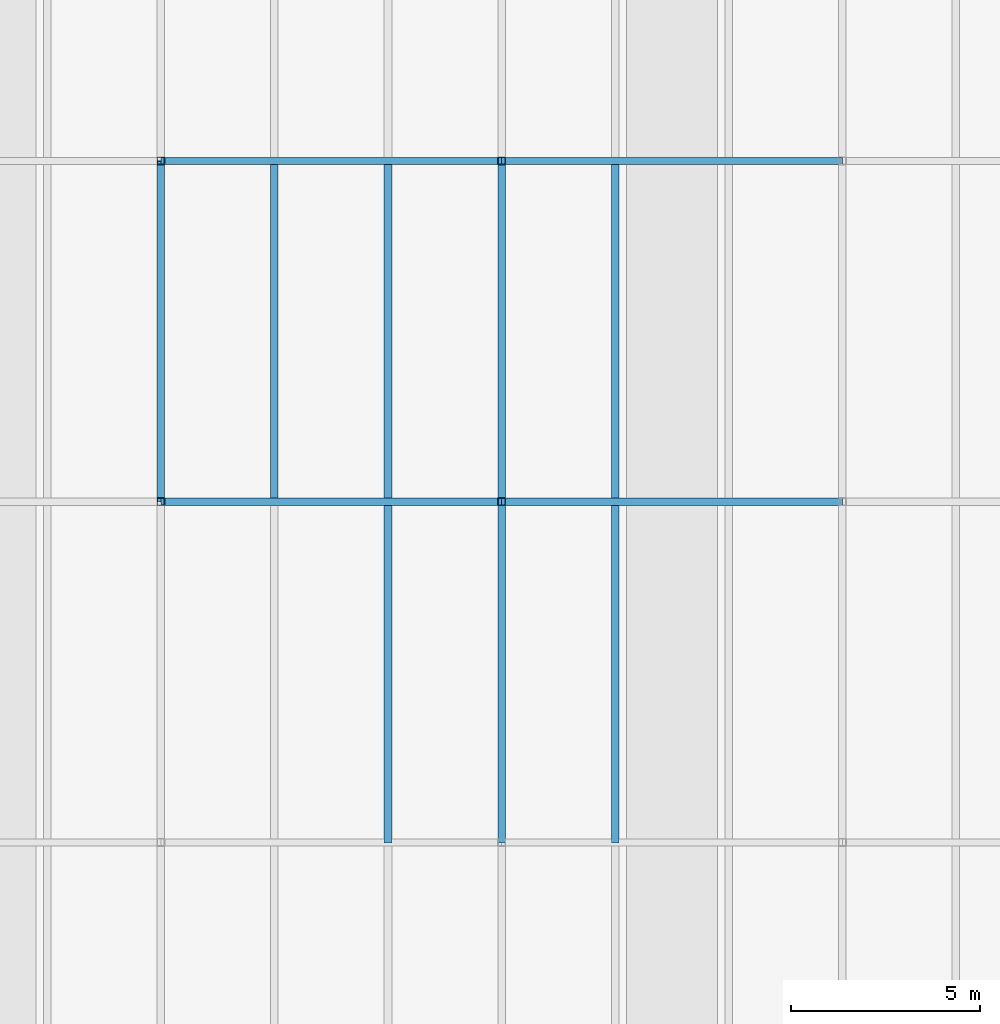
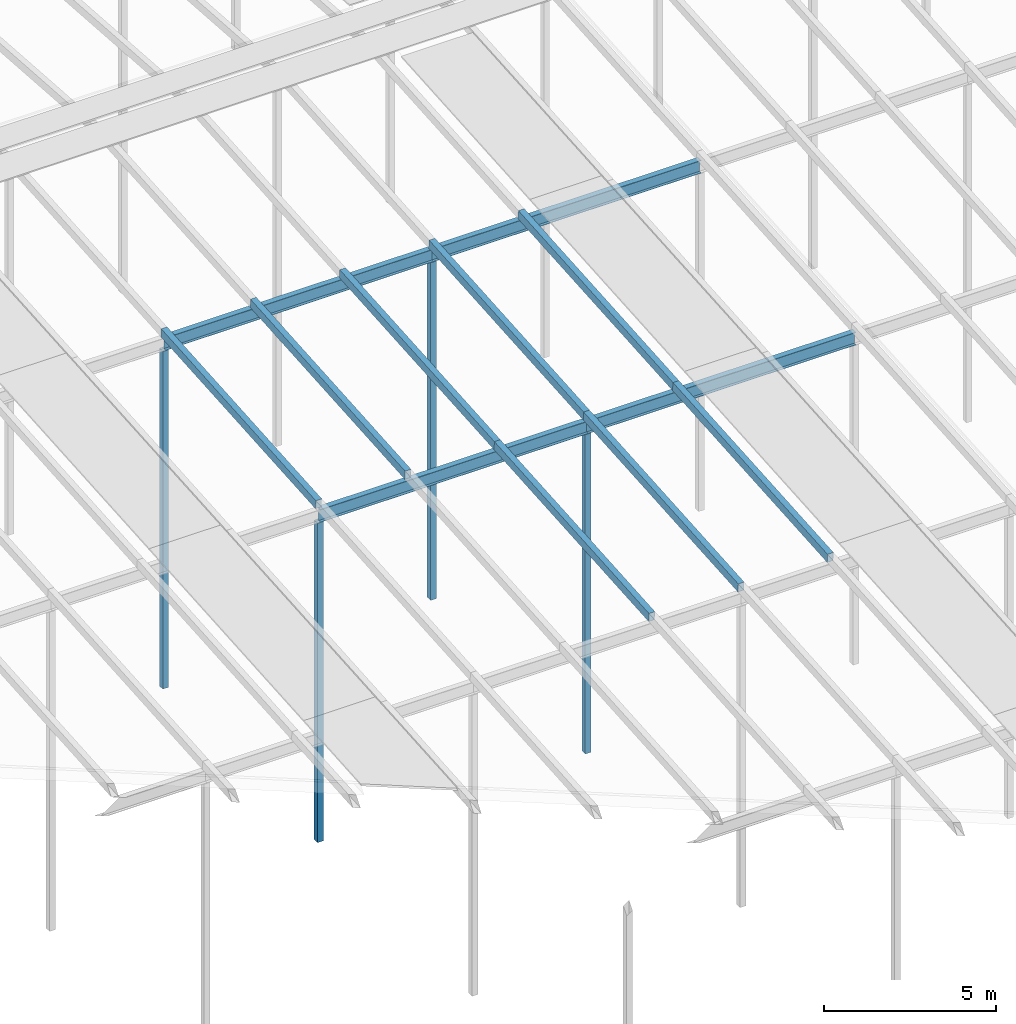
# One storey, part 13 of 84: 12 members, 4 beams.
"""IFC4 building model written with IfcOpenShell, lengths in metres."""

from ifc_helpers import new_model, si_unit, direction, frame, origin, origin_2d, place, context, subcontext, project, spatial, hollow_rectangle, i_section, extrude, material, material_profile, profile_set, type_object, element, save


model = new_model("IFC4")

# Units and contexts
model_context = context("Model", 3, precision=1e-05, world=origin(), true_north=direction((0.0, 1.0)))
body_context = subcontext(model_context, "Body", "Model", "MODEL_VIEW")
ifc_project = project(units=[si_unit("LENGTHUNIT", "METRE"), si_unit("AREAUNIT", "SQUARE_METRE"), si_unit("VOLUMEUNIT", "CUBIC_METRE"), si_unit("PLANEANGLEUNIT", "RADIAN"), si_unit("MASSUNIT", "GRAM", prefix="KILO")], contexts=[model_context])

# Site, building, storey
site_placement = place(None, origin())
site = spatial("IfcSite", under=ifc_project, at=site_placement, CompositionType="ELEMENT")
building_placement = place(site_placement, origin())
building = spatial("IfcBuilding", under=site, at=building_placement, Name="Silverbay Arena", CompositionType="ELEMENT")
storey_placement = place(building_placement, frame((0.0, 0.0, 47.10009765625)))
storey = spatial("IfcBuildingStorey", under=building, at=storey_placement, Name="ROOF", CompositionType="ELEMENT", Elevation=47.10009765625)

# Members
ifc_material_1 = material(Name="Steel S355", Category="steel")
ifc_material_profile_1 = material_profile(ifc_material_1, hollow_rectangle(XDim=0.199951171875, YDim=0.300048828125, WallThickness=0.00634765625, at=origin_2d()), Name="RHS 300x200x6.3")
ifc_profile_set_1 = profile_set([ifc_material_profile_1], Name="Steel S355")
member_type_1 = type_object("IfcMemberType", Name="Purlin RHS 300x200x6.3", PredefinedType="PURLIN", material=ifc_profile_set_1)
for number, where, z_axis, x_axis, name in (
    (1, (117.0, 63.0, 11.349609375), (0.0, 0.997402911363, 0.072023832195), (-1.0, 0.0, 0.0), "ROOF PURLIN crown line 13 bay 05"),
    (2, (120.0, 63.0, 11.349609375), (0.0, 0.997402911363, 0.072023832195), (-1.0, 0.0, 0.0), "ROOF PURLIN crown line 14 bay 05"),
    (3, (123.0, 54.0, 10.699462890625), (0.0, 0.997400967367, 0.07205074805), (-1.0, 0.0, 0.0), "ROOF PURLIN crown line 15 bay 04"),
    (4, (123.0, 63.0, 11.349609375), (0.0, 0.997402911363, 0.072023832195), (-1.0, 0.0, 0.0), "ROOF PURLIN crown line 15 bay 05"),
    (5, (126.0, 54.0, 10.699462890625), (0.0, 0.997400967367, 0.07205074805), (-1.0, 0.0, 0.0), "ROOF PURLIN crown line 16 bay 04"),
    (6, (126.0, 63.0, 11.349609375), (0.0, 0.997402911363, 0.072023832195), (-1.0, 0.0, 0.0), "ROOF PURLIN crown line 16 bay 05"),
    (7, (129.0, 54.0, 10.699462890625), (0.0, 0.997400967367, 0.07205074805), (-1.0, 0.0, 0.0), "ROOF PURLIN crown line 17 bay 04"),
    (8, (129.0, 63.0, 11.349609375), (0.0, 0.997402911363, 0.072023832195), (-1.0, 0.0, 0.0), "ROOF PURLIN crown line 17 bay 05"),
):
    element("IfcMember", number, at=place(storey_placement, frame(where, z_axis=z_axis, x_axis=x_axis)), inside=storey, type_object=member_type_1, Name=name, PredefinedType="PURLIN", context=body_context, shape_type="SweptSolid", body=[
        extrude(hollow_rectangle(XDim=0.199951171875, YDim=0.300048828125, WallThickness=0.00634765625, at=origin_2d()), origin(), (0.0, 0.0, 1.0), 9.0234375),
    ])

# Beams
ifc_material_2 = material(Name="Steel S355", Category="steel")
ifc_material_profile_2 = material_profile(ifc_material_2, i_section(OverallWidth=0.18994140625, OverallDepth=0.453369140625, WebThickness=0.008544921875, FlangeThickness=0.0126953125, at=origin_2d()), Name="UB 457x191x67")
ifc_profile_set_2 = profile_set([ifc_material_profile_2], Name="Steel S355")
beam_type = type_object("IfcBeamType", Name="Ring beam UB 457x191x67", PredefinedType="BEAM", material=ifc_profile_set_2)
for number, where, z_axis, x_axis, name in (
    (9, (117.0, 63.0, 10.972412109375), (1.0, 0.0, 0.0), (0.0, 1.0, 0.0), "RING BEAM crown row 05 14-15"),
    (10, (126.0, 63.0, 10.972412109375), (1.0, 0.0, 0.0), (0.0, 1.0, 0.0), "RING BEAM crown row 05 15-16"),
    (11, (117.0, 72.0, 11.622314453125), (1.0, 0.0, 0.0), (0.0, 1.0, 0.0), "RING BEAM crown row 06 14-15"),
    (12, (126.0, 72.0, 11.622314453125), (1.0, 0.0, 0.0), (0.0, 1.0, 0.0), "RING BEAM crown row 06 15-16"),
):
    element("IfcBeam", number, at=place(storey_placement, frame(where, z_axis=z_axis, x_axis=x_axis)), inside=storey, type_object=beam_type, Name=name, PredefinedType="BEAM", context=body_context, shape_type="SweptSolid", body=[
        extrude(i_section(OverallWidth=0.18994140625, OverallDepth=0.453369140625, WebThickness=0.008544921875, FlangeThickness=0.0126953125, at=origin_2d()), origin(), (0.0, 0.0, 1.0), 9.0),
    ])

# Members
ifc_material_3 = material(Name="Steel S355", Category="steel")
ifc_material_profile_3 = material_profile(ifc_material_3, hollow_rectangle(XDim=0.199951171875, YDim=0.199951171875, WallThickness=0.008056640625, at=origin_2d()), Name="SHS 200x200x8")
ifc_profile_set_3 = profile_set([ifc_material_profile_3], Name="Steel S355")
member_type_2 = type_object("IfcMemberType", Name="Roof post SHS 200x200x8", PredefinedType="POST", material=ifc_profile_set_3)
member_1_placement = place(storey_placement, frame((117.0, 63.0, -0.60009765625), z_axis=(0.0, 0.0, 1.0), x_axis=(1.0, 0.0, 0.0)))
element("IfcMember", 13, at=member_1_placement, inside=storey, type_object=member_type_2, Name="ROOF CROWN POST 14 row 05", PredefinedType="POST", context=body_context, shape_type="SweptSolid", body=[
    extrude(hollow_rectangle(XDim=0.199951171875, YDim=0.199951171875, WallThickness=0.008056640625, at=origin_2d()), origin(), (0.0, 0.0, 1.0), 11.345703125),
])
member_2_placement = place(storey_placement, frame((117.0, 72.0, -0.60009765625), z_axis=(0.0, 0.0, 1.0), x_axis=(1.0, 0.0, 0.0)))
element("IfcMember", 14, at=member_2_placement, inside=storey, type_object=member_type_2, Name="ROOF CROWN POST 14 row 06", PredefinedType="POST", context=body_context, shape_type="SweptSolid", body=[
    extrude(hollow_rectangle(XDim=0.199951171875, YDim=0.199951171875, WallThickness=0.008056640625, at=origin_2d()), origin(), (0.0, 0.0, 1.0), 11.995849609375),
])
member_3_placement = place(storey_placement, frame((126.0, 63.0, -0.60009765625), z_axis=(0.0, 0.0, 1.0), x_axis=(1.0, 0.0, 0.0)))
element("IfcMember", 15, at=member_3_placement, inside=storey, type_object=member_type_2, Name="ROOF CROWN POST 15 row 05", PredefinedType="POST", context=body_context, shape_type="SweptSolid", body=[
    extrude(hollow_rectangle(XDim=0.199951171875, YDim=0.199951171875, WallThickness=0.008056640625, at=origin_2d()), origin(), (0.0, 0.0, 1.0), 11.345703125),
])
member_4_placement = place(storey_placement, frame((126.0, 72.0, -0.60009765625), z_axis=(0.0, 0.0, 1.0), x_axis=(1.0, 0.0, 0.0)))
element("IfcMember", 16, at=member_4_placement, inside=storey, type_object=member_type_2, Name="ROOF CROWN POST 15 row 06", PredefinedType="POST", context=body_context, shape_type="SweptSolid", body=[
    extrude(hollow_rectangle(XDim=0.199951171875, YDim=0.199951171875, WallThickness=0.008056640625, at=origin_2d()), origin(), (0.0, 0.0, 1.0), 11.995849609375),
])

save(model, "model.ifc")
